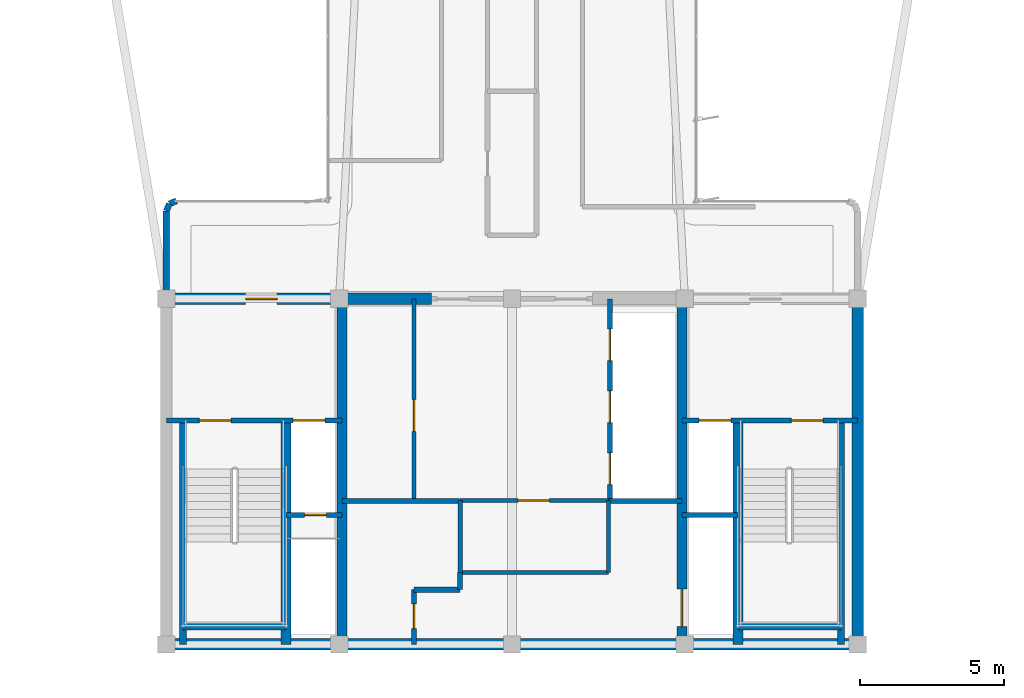
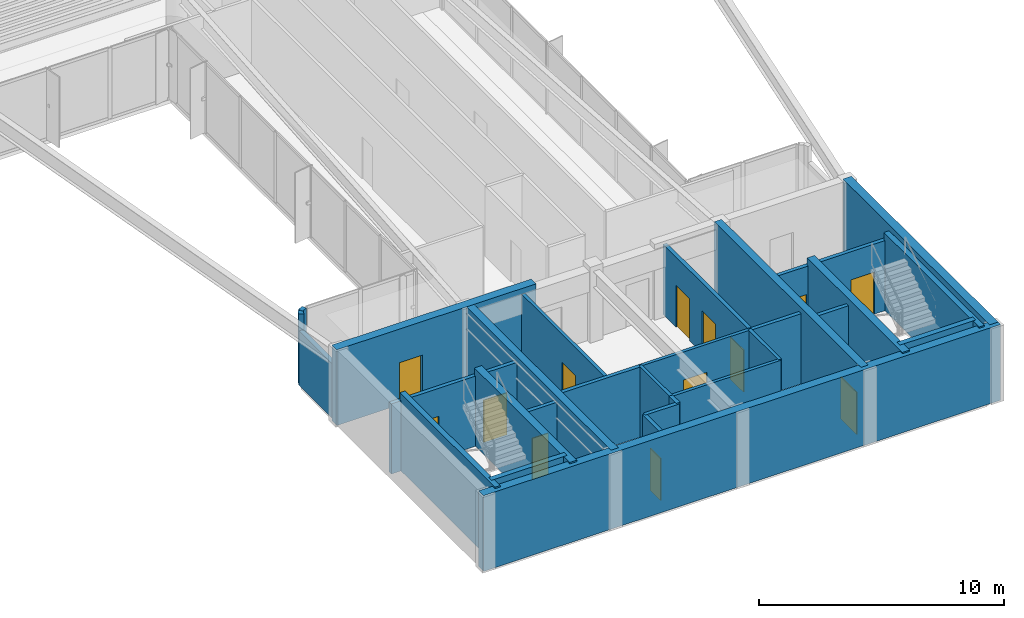
# One storey, part 10 of 15: 29 walls, 13 doors, 13 openings.
"""IFC4 building model written with IfcOpenShell, lengths in metres."""

from ifc_helpers import new_model, si_unit, direction, frame, frame_2d, origin, origin_2d, place, context, subcontext, project, spatial, rectangle, extrude, source, transform, mapped, material, layer, layer_set, type_object, element, fill, save


model = new_model("IFC4")

# Units and contexts
model_context = context("Model", 3, precision=1e-05, world=origin(), true_north=direction((0.0, 1.0)))
body_context = subcontext(model_context, "Body", "Model", "MODEL_VIEW")
ifc_project = project(units=[si_unit("LENGTHUNIT", "METRE"), si_unit("AREAUNIT", "SQUARE_METRE"), si_unit("VOLUMEUNIT", "CUBIC_METRE"), si_unit("PLANEANGLEUNIT", "RADIAN"), si_unit("MASSUNIT", "GRAM", prefix="KILO")], contexts=[model_context])

# Site, building, storey
site_placement = place(None, origin())
site = spatial("IfcSite", under=ifc_project, at=site_placement, CompositionType="ELEMENT")
building_placement = place(site_placement, origin())
building = spatial("IfcBuilding", under=site, at=building_placement, Name="Brelvock Crest Care Tower", CompositionType="ELEMENT")
storey_placement = place(building_placement, frame((0.0, 0.0, 275.93994140625)))
storey = spatial("IfcBuildingStorey", under=building, at=storey_placement, Name="L70", CompositionType="ELEMENT", Elevation=275.93994140625)

# Walls
ifc_material_1 = material(Name="Concrete S65 (65 MPa)", Category="concrete")
ifc_layer_1 = layer(ifc_material_1, 0.39990234375, Name="WL-CS4")
ifc_layer_set_1 = layer_set([ifc_layer_1], Name="Concrete S65 (65 MPa)")
wall_type_1 = type_object("IfcWallType", Name="WL-CS4", PredefinedType="SHEAR", material=ifc_layer_set_1)
wall_1_placement = place(storey_placement, frame((48.199951171875, 6.0, 0.0), z_axis=(0.0, 0.0, 1.0), x_axis=(-1.0, 0.0, 0.0)))
element("IfcWall", 1, at=wall_1_placement, inside=storey, type_object=wall_type_1, Name="L70 Core South Shear Wall", PredefinedType="SHEAR", context=body_context, shape_type="SweptSolid", body=[
    extrude(rectangle(XDim=24.39990234375, YDim=0.39990234375, at=frame_2d((12.199951171875, 0.0))), origin(), (0.0, 0.0, 1.0), 3.780029296875),
])
wall_2_placement = place(storey_placement, frame((48.0, 18.0, 0.0), z_axis=(0.0, 0.0, 1.0), x_axis=(0.0, -1.0, 0.0)))
element("IfcWall", 2, at=wall_2_placement, inside=storey, type_object=wall_type_1, Name="L70 Core East Shear Wall", PredefinedType="SHEAR", context=body_context, shape_type="SweptSolid", body=[
    extrude(rectangle(XDim=12.0, YDim=0.39990234375, at=frame_2d((6.0, 0.0))), origin(), (0.0, 0.0, 1.0), 3.780029296875),
])

# Wall, opening, door
wall_3_placement = place(storey_placement, frame((23.800048828125, 18.0, 0.0), z_axis=(0.0, 0.0, 1.0), x_axis=(1.0, 0.0, 0.0)))
wall_3 = element("IfcWall", 3, at=wall_3_placement, inside=storey, type_object=wall_type_1, Name="L70 Core North-West Shear Wall", PredefinedType="SHEAR", context=body_context, shape_type="SweptSolid", body=[
    extrude(rectangle(XDim=9.39990234375, YDim=0.39990234375, at=frame_2d((4.699951171875, 0.0))), origin(), (0.0, 0.0, 1.0), 3.780029296875),
])
opening_1_placement = place(wall_3_placement, frame((2.949951171875, 0.0, 0.0)))
opening_1 = element("IfcOpeningElement", 4, at=opening_1_placement, cuts=wall_3, Name="Opening FD-1", PredefinedType="OPENING", context=body_context, shape_type="SweptSolid", body=[
    extrude(rectangle(XDim=1.10009765625, YDim=2.10009765625, at=origin_2d()), frame((0.550048828125, 0.2099609375, 1.050048828125), z_axis=(0.0, -1.0, 0.0), x_axis=(1.0, 0.0, 0.0)), (0.0, 0.0, 1.0), 0.419921875),
])
ifc_material_2 = material(Name="Steel Grade 350", Category="steel")
door_type_1 = type_object("IfcDoorType", Name="DR-FFL1", OperationType="NOTDEFINED", PredefinedType="DOOR", material=ifc_material_2)
shared_shape_1 = source(origin(), body_context, "Body", "SweptSolid", [
    extrude(rectangle(XDim=1.10009765625, YDim=2.10009765625, at=origin_2d()), frame((0.550048828125, 0.02490234375, 1.050048828125), z_axis=(0.0, -1.0, 0.0), x_axis=(1.0, 0.0, 0.0)), (0.0, 0.0, 1.0), 0.050048828125),
])
door_1_placement = place(opening_1_placement, origin())
door_1 = element("IfcDoor", 5, at=door_1_placement, inside=storey, type_object=door_type_1, Name="L70 Firefighting Lobby FFL-1 Exit Door", OperationType="SINGLE_SWING_LEFT", OverallHeight=2.10009765625, OverallWidth=1.10009765625, PredefinedType="DOOR", context=body_context, shape_type="MappedRepresentation", body=[
    mapped(shared_shape_1, transform((0.0, 0.0, 0.0), x_axis=(1.0, 0.0, 0.0), y_axis=(0.0, 1.0, 0.0), z_axis=(0.0, 0.0, 1.0), scale=1.0)),
])
fill(opening_1, door_1)

# Wall
ifc_material_3 = material(Name="Concrete S80 (80 MPa)", Category="concrete")
ifc_layer_2 = layer(ifc_material_3, 0.35009765625, Name="WL-CS5")
ifc_layer_set_2 = layer_set([ifc_layer_2], Name="Concrete S80 (80 MPa)")
wall_type_2 = type_object("IfcWallType", Name="WL-CS5", PredefinedType="SHEAR", material=ifc_layer_set_2)
wall_4_placement = place(storey_placement, frame((30.10009765625, 6.0, 0.0), z_axis=(0.0, 0.0, 1.0), x_axis=(0.0, 1.0, 0.0)))
element("IfcWall", 6, at=wall_4_placement, inside=storey, type_object=wall_type_2, Name="L70 Core Internal Web Wall West", PredefinedType="SHEAR", context=body_context, shape_type="SweptSolid", body=[
    extrude(rectangle(XDim=12.0, YDim=0.35009765625, at=frame_2d((6.0, 0.0))), origin(), (0.0, 0.0, 1.0), 3.780029296875),
])

# Wall, opening, door
wall_5_placement = place(storey_placement, frame((41.89990234375, 18.0, 0.0), z_axis=(0.0, 0.0, 1.0), x_axis=(0.0, -1.0, 0.0)))
wall_5 = element("IfcWall", 7, at=wall_5_placement, inside=storey, type_object=wall_type_2, Name="L70 Core Internal Web Wall East", PredefinedType="SHEAR", context=body_context, shape_type="SweptSolid", body=[
    extrude(rectangle(XDim=12.0, YDim=0.35009765625, at=frame_2d((6.0, 0.0))), origin(), (0.0, 0.0, 1.0), 3.780029296875),
])
opening_2_placement = place(wall_5_placement, frame((10.080078125, 0.0, 0.0)))
opening_2 = element("IfcOpeningElement", 8, at=opening_2_placement, cuts=wall_5, Name="Opening LD-S", PredefinedType="OPENING", context=body_context, shape_type="SweptSolid", body=[
    extrude(rectangle(XDim=1.300048828125, YDim=2.10009765625, at=origin_2d()), frame((0.64990234375, 0.18505859375, 1.050048828125), z_axis=(0.0, -1.0, 0.0), x_axis=(1.0, 0.0, 0.0)), (0.0, 0.0, 1.0), 0.3701171875),
])
door_type_2 = type_object("IfcDoorType", Name="DR-LDS1", OperationType="NOTDEFINED", PredefinedType="DOOR", material=ifc_material_2)
shared_shape_2 = source(origin(), body_context, "Body", "SweptSolid", [
    extrude(rectangle(XDim=1.300048828125, YDim=2.10009765625, at=origin_2d()), frame((0.64990234375, 0.02490234375, 1.050048828125), z_axis=(0.0, -1.0, 0.0), x_axis=(1.0, 0.0, 0.0)), (0.0, 0.0, 1.0), 0.050048828125),
])
door_2_placement = place(opening_2_placement, origin())
door_2 = element("IfcDoor", 9, at=door_2_placement, inside=storey, type_object=door_type_2, Name="L70 Clinical Bed Lift SL-1 Landing Door", OperationType="SLIDING_TO_LEFT", OverallHeight=2.10009765625, OverallWidth=1.300048828125, PredefinedType="DOOR", context=body_context, shape_type="MappedRepresentation", body=[
    mapped(shared_shape_2, transform((0.0, 0.0, 0.0), x_axis=(1.0, 0.0, 0.0), y_axis=(0.0, 1.0, 0.0), z_axis=(0.0, 0.0, 1.0), scale=1.0)),
])
fill(opening_2, door_2)

# Walls
for number, where, z_axis, x_axis, name in (
    (10, (28.14990234375, 6.0, 0.0), (0.0, 0.0, 1.0), (0.0, 1.0, 0.0), "L70 Core Stair ST-1 East Shear Wall"),
    (11, (43.85009765625, 6.0, 0.0), (0.0, 0.0, 1.0), (0.0, 1.0, 0.0), "L70 Core Stair ST-2 West Shear Wall"),
):
    element("IfcWall", number, at=place(storey_placement, frame(where, z_axis=z_axis, x_axis=x_axis)), inside=storey, type_object=wall_type_2, Name=name, PredefinedType="SHEAR", context=body_context, shape_type="SweptSolid", body=[
        extrude(rectangle(XDim=7.780029296875, YDim=0.35009765625, at=frame_2d((3.89013671875, 0.0))), origin(), (0.0, 0.0, 1.0), 3.85009765625),
    ])
ifc_layer_3 = layer(ifc_material_3, 0.25, Name="WL-CS6")
ifc_layer_set_3 = layer_set([ifc_layer_3], Name="Concrete S80 (80 MPa)")
wall_type_3 = type_object("IfcWallType", Name="WL-CS6", PredefinedType="SHEAR", material=ifc_layer_set_3)
wall_6_placement = place(storey_placement, frame((24.580078125, 6.0, 0.0), z_axis=(0.0, 0.0, 1.0), x_axis=(0.0, 1.0, 0.0)))
element("IfcWall", 12, at=wall_6_placement, inside=storey, type_object=wall_type_3, Name="L70 Core Stair ST-1 West Shear Wall", PredefinedType="SHEAR", context=body_context, shape_type="SweptSolid", body=[
    extrude(rectangle(XDim=7.780029296875, YDim=0.25, at=frame_2d((3.89013671875, 0.0))), origin(), (0.0, 0.0, 1.0), 3.85009765625),
])
wall_7_placement = place(storey_placement, frame((24.580078125, 6.6201171875, 0.0), z_axis=(0.0, 0.0, 1.0), x_axis=(1.0, 0.0, 0.0)))
element("IfcWall", 13, at=wall_7_placement, inside=storey, type_object=wall_type_3, Name="L70 Core Stair ST-1 South Shear Wall", PredefinedType="SHEAR", context=body_context, shape_type="SweptSolid", body=[
    extrude(rectangle(XDim=3.56982421875, YDim=0.25, at=frame_2d((1.784912109375, 0.0))), origin(), (0.0, 0.0, 1.0), 3.85009765625),
])
wall_8_placement = place(storey_placement, frame((47.419921875, 6.0, 0.0), z_axis=(0.0, 0.0, 1.0), x_axis=(0.0, 1.0, 0.0)))
element("IfcWall", 14, at=wall_8_placement, inside=storey, type_object=wall_type_3, Name="L70 Core Stair ST-2 East Shear Wall", PredefinedType="SHEAR", context=body_context, shape_type="SweptSolid", body=[
    extrude(rectangle(XDim=7.780029296875, YDim=0.25, at=frame_2d((3.89013671875, 0.0))), origin(), (0.0, 0.0, 1.0), 3.85009765625),
])
wall_9_placement = place(storey_placement, frame((43.85009765625, 6.6201171875, 0.0), z_axis=(0.0, 0.0, 1.0), x_axis=(1.0, 0.0, 0.0)))
element("IfcWall", 15, at=wall_9_placement, inside=storey, type_object=wall_type_3, Name="L70 Core Stair ST-2 South Shear Wall", PredefinedType="SHEAR", context=body_context, shape_type="SweptSolid", body=[
    extrude(rectangle(XDim=3.56982421875, YDim=0.25, at=frame_2d((1.784912109375, 0.0))), origin(), (0.0, 0.0, 1.0), 3.85009765625),
])
ifc_material_4 = material(Name="Precast concrete N40 (40 MPa)", Category="concrete")
ifc_layer_4 = layer(ifc_material_4, 0.215087890625, Name="WL-EX2")
ifc_layer_set_4 = layer_set([ifc_layer_4], Name="Precast concrete N40 (40 MPa)")
wall_type_4 = type_object("IfcWallType", Name="WL-EX2", PredefinedType="SOLIDWALL", material=ifc_layer_set_4)
wall_10_placement = place(storey_placement, frame((24.0, 18.280029296875, 0.0), z_axis=(0.0, 0.0, 1.0), x_axis=(0.0, 1.0, 0.0)))
element("IfcWall", 16, at=wall_10_placement, inside=storey, type_object=wall_type_4, Name="L70 Rounded Corner Wall 07", PredefinedType="SOLIDWALL", context=body_context, shape_type="SweptSolid", body=[
    extrude(rectangle(XDim=2.77001953125, YDim=0.215087890625, at=frame_2d((1.385009765625, 0.0))), origin(), (0.0, 0.0, 1.0), 2.718017578125),
])
wall_11_placement = place(storey_placement, frame((24.0, 21.050048828125, 0.0), z_axis=(0.0, 0.0, 1.0), x_axis=(0.382673670509, 0.923883575944, 0.0)))
element("IfcWall", 17, at=wall_11_placement, inside=storey, type_object=wall_type_4, Name="L70 Rounded Corner Wall 08", PredefinedType="SOLIDWALL", context=body_context, shape_type="SweptSolid", body=[
    extrude(rectangle(XDim=0.26806640625, YDim=0.215087890625, at=frame_2d((0.134033203125, 0.0))), origin(), (0.0, 0.0, 1.0), 3.530029296875),
])
wall_12_placement = place(storey_placement, frame((24.1025390625, 21.297607421875, 0.0), z_axis=(0.0, 0.0, 1.0), x_axis=(0.924205486139, 0.381895560841, 0.0)))
element("IfcWall", 18, at=wall_12_placement, inside=storey, type_object=wall_type_4, Name="L70 Rounded Corner Wall 09", PredefinedType="SOLIDWALL", context=body_context, shape_type="SweptSolid", body=[
    extrude(rectangle(XDim=0.267822265625, YDim=0.215087890625, at=frame_2d((0.1337890625, 0.0))), origin(), (0.0, 0.0, 1.0), 3.530029296875),
])

# Wall, opening, door
ifc_material_5 = material(Name="Masonry Blockwork Acoustic Partition", Category="masonry")
ifc_layer_5 = layer(ifc_material_5, 0.14990234375, Name="WL-INT1")
ifc_layer_set_5 = layer_set([ifc_layer_5], Name="Masonry Blockwork Acoustic Partition")
wall_type_5 = type_object("IfcWallType", Name="WL-INT1", PredefinedType="PARTITIONING", material=ifc_layer_set_5)
wall_13_placement = place(storey_placement, frame((32.60009765625, 11.0, 0.0), z_axis=(0.0, 0.0, 1.0), x_axis=(0.0, 1.0, 0.0)))
wall_13 = element("IfcWall", 19, at=wall_13_placement, inside=storey, type_object=wall_type_5, Name="L70 Interior Wall WL-CRCL-E-L70", PredefinedType="PARTITIONING", context=body_context, shape_type="SweptSolid", body=[
    extrude(rectangle(XDim=7.0, YDim=0.14990234375, at=frame_2d((3.5, 0.0))), origin(), (0.0, 0.0, 1.0), 3.5),
])
opening_3_placement = place(wall_13_placement, frame((2.39990234375, 0.0, 0.0)))
opening_3 = element("IfcOpeningElement", 20, at=opening_3_placement, cuts=wall_13, Name="Opening PD-1", PredefinedType="OPENING", context=body_context, shape_type="SweptSolid", body=[
    extrude(rectangle(XDim=1.10009765625, YDim=2.10009765625, at=origin_2d()), frame((0.550048828125, 0.0849609375, 1.050048828125), z_axis=(0.0, -1.0, 0.0), x_axis=(1.0, 0.0, 0.0)), (0.0, 0.0, 1.0), 0.169921875),
])
door_type_3 = type_object("IfcDoorType", Name="DR-PLT1", OperationType="NOTDEFINED", PredefinedType="DOOR", material=ifc_material_2)
shared_shape_3 = source(origin(), body_context, "Body", "SweptSolid", [
    extrude(rectangle(XDim=1.10009765625, YDim=2.10009765625, at=origin_2d()), frame((0.550048828125, 0.02490234375, 1.050048828125), z_axis=(0.0, -1.0, 0.0), x_axis=(1.0, 0.0, 0.0)), (0.0, 0.0, 1.0), 0.050048828125),
])
door_3_placement = place(opening_3_placement, origin())
door_3 = element("IfcDoor", 21, at=door_3_placement, inside=storey, type_object=door_type_3, Name="DR-CRCL1-L70", OperationType="SINGLE_SWING_LEFT", OverallHeight=2.10009765625, OverallWidth=1.10009765625, PredefinedType="DOOR", context=body_context, shape_type="MappedRepresentation", body=[
    mapped(shared_shape_3, transform((0.0, 0.0, 0.0), x_axis=(1.0, 0.0, 0.0), y_axis=(0.0, 1.0, 0.0), z_axis=(0.0, 0.0, 1.0), scale=1.0)),
])
fill(opening_3, door_3)

# Walls
wall_14_placement = place(storey_placement, frame((34.199951171875, 8.5, 0.0), z_axis=(0.0, 0.0, 1.0), x_axis=(1.0, 0.0, 0.0)))
element("IfcWall", 22, at=wall_14_placement, inside=storey, type_object=wall_type_5, Name="L70 Interior Wall WL-CRCM-S-L70", PredefinedType="PARTITIONING", context=body_context, shape_type="SweptSolid", body=[
    extrude(rectangle(XDim=5.150146484375, YDim=0.14990234375, at=frame_2d((2.5751953125, 0.0))), origin(), (0.0, 0.0, 1.0), 3.5),
])
for number, where, z_axis, x_axis, name in (
    (23, (34.199951171875, 8.5, 0.0), (0.0, 0.0, 1.0), (0.0, 1.0, 0.0), "L70 Interior Wall WL-CRCM-W-L70"),
    (24, (39.35009765625, 8.5, 0.0), (0.0, 0.0, 1.0), (0.0, 1.0, 0.0), "L70 Interior Wall WL-CRCM-E-L70"),
):
    element("IfcWall", number, at=place(storey_placement, frame(where, z_axis=z_axis, x_axis=x_axis)), inside=storey, type_object=wall_type_5, Name=name, PredefinedType="PARTITIONING", context=body_context, shape_type="SweptSolid", body=[
        extrude(rectangle(XDim=2.5, YDim=0.14990234375, at=frame_2d((1.25, 0.0))), origin(), (0.0, 0.0, 1.0), 3.5),
    ])

# Wall, opening, door
wall_15_placement = place(storey_placement, frame((34.199951171875, 11.0, 0.0), z_axis=(0.0, 0.0, 1.0), x_axis=(1.0, 0.0, 0.0)))
wall_15 = element("IfcWall", 25, at=wall_15_placement, inside=storey, type_object=wall_type_5, Name="L70 Interior Wall WL-CRCM-N-L70", PredefinedType="PARTITIONING", context=body_context, shape_type="SweptSolid", body=[
    extrude(rectangle(XDim=5.150146484375, YDim=0.14990234375, at=frame_2d((2.5751953125, 0.0))), origin(), (0.0, 0.0, 1.0), 3.5),
])
opening_4_placement = place(wall_15_placement, frame((2.0, 0.0, 0.0)))
opening_4 = element("IfcOpeningElement", 26, at=opening_4_placement, cuts=wall_15, Name="Opening PD-1", PredefinedType="OPENING", context=body_context, shape_type="SweptSolid", body=[
    extrude(rectangle(XDim=1.10009765625, YDim=2.10009765625, at=origin_2d()), frame((0.550048828125, 0.0849609375, 1.050048828125), z_axis=(0.0, -1.0, 0.0), x_axis=(1.0, 0.0, 0.0)), (0.0, 0.0, 1.0), 0.169921875),
])
door_4_placement = place(opening_4_placement, origin())
door_4 = element("IfcDoor", 27, at=door_4_placement, inside=storey, type_object=door_type_3, Name="DR-CRCM1-L70", OperationType="SINGLE_SWING_LEFT", OverallHeight=2.10009765625, OverallWidth=1.10009765625, PredefinedType="DOOR", context=body_context, shape_type="MappedRepresentation", body=[
    mapped(shared_shape_3, transform((0.0, 0.0, 0.0), x_axis=(1.0, 0.0, 0.0), y_axis=(0.0, 1.0, 0.0), z_axis=(0.0, 0.0, 1.0), scale=1.0)),
])
fill(opening_4, door_4)

# Walls
ifc_layer_6 = layer(ifc_material_5, 0.179931640625, Name="WL-SHF1")
ifc_layer_set_6 = layer_set([ifc_layer_6], Name="Masonry Blockwork Acoustic Partition")
wall_type_6 = type_object("IfcWallType", Name="WL-SHF1", PredefinedType="PARTITIONING", material=ifc_layer_set_6)
wall_16_placement = place(storey_placement, frame((30.10009765625, 10.97998046875, 0.0), z_axis=(0.0, 0.0, 1.0), x_axis=(1.0, 0.0, 0.0)))
element("IfcWall", 28, at=wall_16_placement, inside=storey, type_object=wall_type_6, Name="L70 Interior Wall WL-CSBW-N-L70", PredefinedType="PARTITIONING", context=body_context, shape_type="SweptSolid", body=[
    extrude(rectangle(XDim=4.079833984375, YDim=0.179931640625, at=frame_2d((2.0400390625, 0.0))), origin(), (0.0, 0.0, 1.0), 3.5),
])
wall_17_placement = place(storey_placement, frame((34.199951171875, 7.89990234375, 0.0), z_axis=(0.0, 0.0, 1.0), x_axis=(0.0, 1.0, 0.0)))
element("IfcWall", 29, at=wall_17_placement, inside=storey, type_object=wall_type_6, Name="L70 Interior Wall WL-CSBW-E2-L70", PredefinedType="PARTITIONING", context=body_context, shape_type="SweptSolid", body=[
    extrude(rectangle(XDim=0.60009765625, YDim=0.179931640625, at=frame_2d((0.300048828125, 0.0))), origin(), (0.0, 0.0, 1.0), 3.5),
])
wall_18_placement = place(storey_placement, frame((32.60009765625, 7.89990234375, 0.0), z_axis=(0.0, 0.0, 1.0), x_axis=(1.0, 0.0, 0.0)))
element("IfcWall", 30, at=wall_18_placement, inside=storey, type_object=wall_type_6, Name="L70 Interior Wall WL-CSBW-S2-L70", PredefinedType="PARTITIONING", context=body_context, shape_type="SweptSolid", body=[
    extrude(rectangle(XDim=1.599853515625, YDim=0.179931640625, at=frame_2d((0.7998046875, 0.0))), origin(), (0.0, 0.0, 1.0), 3.5),
])

# Wall, opening, door
wall_19_placement = place(storey_placement, frame((32.60009765625, 6.0, 0.0), z_axis=(0.0, 0.0, 1.0), x_axis=(0.0, 1.0, 0.0)))
wall_19 = element("IfcWall", 31, at=wall_19_placement, inside=storey, type_object=wall_type_6, Name="L70 Interior Wall WL-CSBW-E1-L70", PredefinedType="PARTITIONING", context=body_context, shape_type="SweptSolid", body=[
    extrude(rectangle(XDim=1.89990234375, YDim=0.179931640625, at=frame_2d((0.949951171875, 0.0))), origin(), (0.0, 0.0, 1.0), 3.5),
])
opening_5_placement = place(wall_19_placement, frame((0.550048828125, 0.0, 0.0)))
opening_5 = element("IfcOpeningElement", 32, at=opening_5_placement, cuts=wall_19, Name="Opening ID-1", PredefinedType="OPENING", context=body_context, shape_type="SweptSolid", body=[
    extrude(rectangle(XDim=0.860107421875, YDim=2.10009765625, at=origin_2d()), frame((0.43017578125, 0.10009765625, 1.050048828125), z_axis=(0.0, -1.0, 0.0), x_axis=(1.0, 0.0, 0.0)), (0.0, 0.0, 1.0), 0.199951171875),
])
ifc_material_6 = material(Name="Engineered Hardwood Timber", Category="wood")
door_type_4 = type_object("IfcDoorType", Name="DR-INT1", OperationType="NOTDEFINED", PredefinedType="DOOR", material=ifc_material_6)
shared_shape_4 = source(origin(), body_context, "Body", "SweptSolid", [
    extrude(rectangle(XDim=0.860107421875, YDim=2.10009765625, at=origin_2d()), frame((0.43017578125, 0.02490234375, 1.050048828125), z_axis=(0.0, -1.0, 0.0), x_axis=(1.0, 0.0, 0.0)), (0.0, 0.0, 1.0), 0.050048828125),
])
door_5_placement = place(opening_5_placement, origin())
door_5 = element("IfcDoor", 33, at=door_5_placement, inside=storey, type_object=door_type_4, Name="DR-CSBW-L70", OperationType="SINGLE_SWING_LEFT", OverallHeight=2.10009765625, OverallWidth=0.860107421875, PredefinedType="DOOR", context=body_context, shape_type="MappedRepresentation", body=[
    mapped(shared_shape_4, transform((0.0, 0.0, 0.0), x_axis=(1.0, 0.0, 0.0), y_axis=(0.0, 1.0, 0.0), z_axis=(0.0, 0.0, 1.0), scale=1.0)),
])
fill(opening_5, door_5)

# Wall
wall_20_placement = place(storey_placement, frame((39.35009765625, 10.97998046875, 0.0), z_axis=(0.0, 0.0, 1.0), x_axis=(1.0, 0.0, 0.0)))
element("IfcWall", 34, at=wall_20_placement, inside=storey, type_object=wall_type_6, Name="L70 Interior Wall WL-CSBE-N-L70", PredefinedType="PARTITIONING", context=body_context, shape_type="SweptSolid", body=[
    extrude(rectangle(XDim=2.5498046875, YDim=0.179931640625, at=frame_2d((1.27490234375, 0.0))), origin(), (0.0, 0.0, 1.0), 3.5),
])

# Wall, openings, doors
wall_21_placement = place(storey_placement, frame((24.0, 13.780029296875, 0.0), z_axis=(0.0, 0.0, 1.0), x_axis=(1.0, 0.0, 0.0)))
wall_21 = element("IfcWall", 35, at=wall_21_placement, inside=storey, type_object=wall_type_6, Name="L70 Interior Wall WL-ST1-N-L70", PredefinedType="PARTITIONING", context=body_context, shape_type="SweptSolid", body=[
    extrude(rectangle(XDim=6.10009765625, YDim=0.179931640625, at=frame_2d((3.050048828125, 0.0))), origin(), (0.0, 0.0, 1.0), 3.5),
])
opening_6_placement = place(wall_21_placement, frame((1.14990234375, 0.0, 0.0)))
opening_6 = element("IfcOpeningElement", 36, at=opening_6_placement, cuts=wall_21, Name="Opening SD-1", PredefinedType="OPENING", context=body_context, shape_type="SweptSolid", body=[
    extrude(rectangle(XDim=1.10009765625, YDim=2.10009765625, at=origin_2d()), frame((0.550048828125, 0.10009765625, 1.050048828125), z_axis=(0.0, -1.0, 0.0), x_axis=(1.0, 0.0, 0.0)), (0.0, 0.0, 1.0), 0.199951171875),
])
opening_7_placement = place(wall_21_placement, frame((4.39990234375, 0.0, 0.0)))
opening_7 = element("IfcOpeningElement", 37, at=opening_7_placement, cuts=wall_21, Name="Opening LD", PredefinedType="OPENING", context=body_context, shape_type="SweptSolid", body=[
    extrude(rectangle(XDim=1.10009765625, YDim=2.10009765625, at=origin_2d()), frame((0.550048828125, 0.10009765625, 1.050048828125), z_axis=(0.0, -1.0, 0.0), x_axis=(1.0, 0.0, 0.0)), (0.0, 0.0, 1.0), 0.199951171875),
])
door_type_5 = type_object("IfcDoorType", Name="DR-ST1", OperationType="NOTDEFINED", PredefinedType="DOOR", material=ifc_material_2)
shared_shape_5 = source(origin(), body_context, "Body", "SweptSolid", [
    extrude(rectangle(XDim=1.10009765625, YDim=2.10009765625, at=origin_2d()), frame((0.550048828125, 0.02490234375, 1.050048828125), z_axis=(0.0, -1.0, 0.0), x_axis=(1.0, 0.0, 0.0)), (0.0, 0.0, 1.0), 0.050048828125),
])
door_6_placement = place(opening_6_placement, origin())
door_6 = element("IfcDoor", 38, at=door_6_placement, inside=storey, type_object=door_type_5, Name="L70 Fire Stair ST-1 Door", OperationType="SINGLE_SWING_LEFT", OverallHeight=2.10009765625, OverallWidth=1.10009765625, PredefinedType="DOOR", context=body_context, shape_type="MappedRepresentation", body=[
    mapped(shared_shape_5, transform((0.0, 0.0, 0.0), x_axis=(1.0, 0.0, 0.0), y_axis=(0.0, 1.0, 0.0), z_axis=(0.0, 0.0, 1.0), scale=1.0)),
])
fill(opening_6, door_6)
door_type_6 = type_object("IfcDoorType", Name="DR-LD1", OperationType="NOTDEFINED", PredefinedType="DOOR", material=ifc_material_2)
shared_shape_6 = source(origin(), body_context, "Body", "SweptSolid", [
    extrude(rectangle(XDim=1.10009765625, YDim=2.10009765625, at=origin_2d()), frame((0.550048828125, 0.02490234375, 1.050048828125), z_axis=(0.0, -1.0, 0.0), x_axis=(1.0, 0.0, 0.0)), (0.0, 0.0, 1.0), 0.050048828125),
])
door_7_placement = place(opening_7_placement, origin())
door_7 = element("IfcDoor", 39, at=door_7_placement, inside=storey, type_object=door_type_6, Name="L70 Firefighting Lift FFL-1 Landing Door", OperationType="SLIDING_TO_LEFT", OverallHeight=2.10009765625, OverallWidth=1.10009765625, PredefinedType="DOOR", context=body_context, shape_type="MappedRepresentation", body=[
    mapped(shared_shape_6, transform((0.0, 0.0, 0.0), x_axis=(1.0, 0.0, 0.0), y_axis=(0.0, 1.0, 0.0), z_axis=(0.0, 0.0, 1.0), scale=1.0)),
])
fill(opening_7, door_7)

# Wall, opening, door
wall_22_placement = place(storey_placement, frame((28.14990234375, 10.5, 0.0), z_axis=(0.0, 0.0, 1.0), x_axis=(1.0, 0.0, 0.0)))
wall_22 = element("IfcWall", 40, at=wall_22_placement, inside=storey, type_object=wall_type_6, Name="L70 Interior Wall WL-FFH1-S-L70", PredefinedType="PARTITIONING", context=body_context, shape_type="SweptSolid", body=[
    extrude(rectangle(XDim=1.9501953125, YDim=0.179931640625, at=frame_2d((0.97509765625, 0.0))), origin(), (0.0, 0.0, 1.0), 3.5),
])
opening_8_placement = place(wall_22_placement, frame((0.64990234375, 0.0, 0.0)))
opening_8 = element("IfcOpeningElement", 41, at=opening_8_placement, cuts=wall_22, Name="Opening RD-1", PredefinedType="OPENING", context=body_context, shape_type="SweptSolid", body=[
    extrude(rectangle(XDim=0.760009765625, YDim=2.050048828125, at=origin_2d()), frame((0.3798828125, 0.10009765625, 1.02490234375), z_axis=(0.0, -1.0, 0.0), x_axis=(1.0, 0.0, 0.0)), (0.0, 0.0, 1.0), 0.199951171875),
])
door_type_7 = type_object("IfcDoorType", Name="DR-RIS1", OperationType="NOTDEFINED", PredefinedType="DOOR", material=ifc_material_2)
shared_shape_7 = source(origin(), body_context, "Body", "SweptSolid", [
    extrude(rectangle(XDim=0.760009765625, YDim=2.050048828125, at=origin_2d()), frame((0.3798828125, 0.02490234375, 1.02490234375), z_axis=(0.0, -1.0, 0.0), x_axis=(1.0, 0.0, 0.0)), (0.0, 0.0, 1.0), 0.050048828125),
])
door_8_placement = place(opening_8_placement, origin())
door_8 = element("IfcDoor", 42, at=door_8_placement, inside=storey, type_object=door_type_7, Name="L70 Wet Fire Riser Access Door", OperationType="SINGLE_SWING_LEFT", OverallHeight=2.050048828125, OverallWidth=0.760009765625, PredefinedType="DOOR", context=body_context, shape_type="MappedRepresentation", body=[
    mapped(shared_shape_7, transform((0.0, 0.0, 0.0), x_axis=(1.0, 0.0, 0.0), y_axis=(0.0, 1.0, 0.0), z_axis=(0.0, 0.0, 1.0), scale=1.0)),
])
fill(opening_8, door_8)

# Wall, openings, doors
wall_23_placement = place(storey_placement, frame((41.89990234375, 13.780029296875, 0.0), z_axis=(0.0, 0.0, 1.0), x_axis=(1.0, 0.0, 0.0)))
wall_23 = element("IfcWall", 43, at=wall_23_placement, inside=storey, type_object=wall_type_6, Name="L70 Interior Wall WL-ST2-N-L70", PredefinedType="PARTITIONING", context=body_context, shape_type="SweptSolid", body=[
    extrude(rectangle(XDim=6.10009765625, YDim=0.179931640625, at=frame_2d((3.050048828125, 0.0))), origin(), (0.0, 0.0, 1.0), 3.5),
])
opening_9_placement = place(wall_23_placement, frame((0.60009765625, 0.0, 0.0)))
opening_9 = element("IfcOpeningElement", 44, at=opening_9_placement, cuts=wall_23, Name="Opening LD", PredefinedType="OPENING", context=body_context, shape_type="SweptSolid", body=[
    extrude(rectangle(XDim=1.10009765625, YDim=2.10009765625, at=origin_2d()), frame((0.550048828125, 0.10009765625, 1.050048828125), z_axis=(0.0, -1.0, 0.0), x_axis=(1.0, 0.0, 0.0)), (0.0, 0.0, 1.0), 0.199951171875),
])
opening_10_placement = place(wall_23_placement, frame((3.800048828125, 0.0, 0.0)))
opening_10 = element("IfcOpeningElement", 45, at=opening_10_placement, cuts=wall_23, Name="Opening SD-1", PredefinedType="OPENING", context=body_context, shape_type="SweptSolid", body=[
    extrude(rectangle(XDim=1.10009765625, YDim=2.10009765625, at=origin_2d()), frame((0.550048828125, 0.10009765625, 1.050048828125), z_axis=(0.0, -1.0, 0.0), x_axis=(1.0, 0.0, 0.0)), (0.0, 0.0, 1.0), 0.199951171875),
])
door_9_placement = place(opening_10_placement, origin())
door_9 = element("IfcDoor", 46, at=door_9_placement, inside=storey, type_object=door_type_5, Name="L70 Fire Stair ST-2 Door", OperationType="SINGLE_SWING_RIGHT", OverallHeight=2.10009765625, OverallWidth=1.10009765625, PredefinedType="DOOR", context=body_context, shape_type="MappedRepresentation", body=[
    mapped(shared_shape_5, transform((0.0, 0.0, 0.0), x_axis=(1.0, 0.0, 0.0), y_axis=(0.0, 1.0, 0.0), z_axis=(0.0, 0.0, 1.0), scale=1.0)),
])
fill(opening_10, door_9)
door_10_placement = place(opening_9_placement, origin())
door_10 = element("IfcDoor", 47, at=door_10_placement, inside=storey, type_object=door_type_6, Name="L70 Firefighting Lift FFL-2 Landing Door", OperationType="SLIDING_TO_RIGHT", OverallHeight=2.10009765625, OverallWidth=1.10009765625, PredefinedType="DOOR", context=body_context, shape_type="MappedRepresentation", body=[
    mapped(shared_shape_6, transform((0.0, 0.0, 0.0), x_axis=(1.0, 0.0, 0.0), y_axis=(0.0, 1.0, 0.0), z_axis=(0.0, 0.0, 1.0), scale=1.0)),
])
fill(opening_9, door_10)

# Wall
wall_24_placement = place(storey_placement, frame((41.89990234375, 10.5, 0.0), z_axis=(0.0, 0.0, 1.0), x_axis=(1.0, 0.0, 0.0)))
element("IfcWall", 48, at=wall_24_placement, inside=storey, type_object=wall_type_6, Name="L70 Interior Wall WL-FFH2-S-L70", PredefinedType="PARTITIONING", context=body_context, shape_type="SweptSolid", body=[
    extrude(rectangle(XDim=1.9501953125, YDim=0.179931640625, at=frame_2d((0.97509765625, 0.0))), origin(), (0.0, 0.0, 1.0), 3.5),
])

# Wall, openings, doors
wall_25_placement = place(storey_placement, frame((39.39990234375, 11.0, 0.0), z_axis=(0.0, 0.0, 1.0), x_axis=(0.0, 1.0, 0.0)))
wall_25 = element("IfcWall", 49, at=wall_25_placement, inside=storey, type_object=wall_type_6, Name="L70 Interior Wall WL-PLH-BANK-L70", PredefinedType="PARTITIONING", context=body_context, shape_type="SweptSolid", body=[
    extrude(rectangle(XDim=7.0, YDim=0.179931640625, at=frame_2d((3.5, 0.0))), origin(), (0.0, 0.0, 1.0), 3.5),
])
opening_11_placement = place(wall_25_placement, frame((0.550048828125, 0.0, 0.0)))
opening_11 = element("IfcOpeningElement", 50, at=opening_11_placement, cuts=wall_25, Name="Opening LD", PredefinedType="OPENING", context=body_context, shape_type="SweptSolid", body=[
    extrude(rectangle(XDim=1.10009765625, YDim=2.10009765625, at=origin_2d()), frame((0.550048828125, 0.10009765625, 1.050048828125), z_axis=(0.0, -1.0, 0.0), x_axis=(1.0, 0.0, 0.0)), (0.0, 0.0, 1.0), 0.199951171875),
])
opening_12_placement = place(wall_25_placement, frame((2.699951171875, 0.0, 0.0)))
opening_12 = element("IfcOpeningElement", 51, at=opening_12_placement, cuts=wall_25, Name="Opening LD", PredefinedType="OPENING", context=body_context, shape_type="SweptSolid", body=[
    extrude(rectangle(XDim=1.10009765625, YDim=2.10009765625, at=origin_2d()), frame((0.550048828125, 0.10009765625, 1.050048828125), z_axis=(0.0, -1.0, 0.0), x_axis=(1.0, 0.0, 0.0)), (0.0, 0.0, 1.0), 0.199951171875),
])
opening_13_placement = place(wall_25_placement, frame((4.85009765625, 0.0, 0.0)))
opening_13 = element("IfcOpeningElement", 52, at=opening_13_placement, cuts=wall_25, Name="Opening LD", PredefinedType="OPENING", context=body_context, shape_type="SweptSolid", body=[
    extrude(rectangle(XDim=1.10009765625, YDim=2.10009765625, at=origin_2d()), frame((0.550048828125, 0.10009765625, 1.050048828125), z_axis=(0.0, -1.0, 0.0), x_axis=(1.0, 0.0, 0.0)), (0.0, 0.0, 1.0), 0.199951171875),
])
door_11_placement = place(opening_11_placement, origin())
door_11 = element("IfcDoor", 53, at=door_11_placement, inside=storey, type_object=door_type_6, Name="L70 Lift PL-H1 Landing Door", OperationType="SLIDING_TO_RIGHT", OverallHeight=2.10009765625, OverallWidth=1.10009765625, PredefinedType="DOOR", context=body_context, shape_type="MappedRepresentation", body=[
    mapped(shared_shape_6, transform((0.0, 0.0, 0.0), x_axis=(1.0, 0.0, 0.0), y_axis=(0.0, 1.0, 0.0), z_axis=(0.0, 0.0, 1.0), scale=1.0)),
])
fill(opening_11, door_11)
door_12_placement = place(opening_12_placement, origin())
door_12 = element("IfcDoor", 54, at=door_12_placement, inside=storey, type_object=door_type_6, Name="L70 Lift PL-H2 Landing Door", OperationType="SLIDING_TO_RIGHT", OverallHeight=2.10009765625, OverallWidth=1.10009765625, PredefinedType="DOOR", context=body_context, shape_type="MappedRepresentation", body=[
    mapped(shared_shape_6, transform((0.0, 0.0, 0.0), x_axis=(1.0, 0.0, 0.0), y_axis=(0.0, 1.0, 0.0), z_axis=(0.0, 0.0, 1.0), scale=1.0)),
])
fill(opening_12, door_12)
door_13_placement = place(opening_13_placement, origin())
door_13 = element("IfcDoor", 55, at=door_13_placement, inside=storey, type_object=door_type_6, Name="L70 Lift PL-H3 Landing Door", OperationType="SLIDING_TO_RIGHT", OverallHeight=2.10009765625, OverallWidth=1.10009765625, PredefinedType="DOOR", context=body_context, shape_type="MappedRepresentation", body=[
    mapped(shared_shape_6, transform((0.0, 0.0, 0.0), x_axis=(1.0, 0.0, 0.0), y_axis=(0.0, 1.0, 0.0), z_axis=(0.0, 0.0, 1.0), scale=1.0)),
])
fill(opening_13, door_13)

save(model, "model.ifc")
